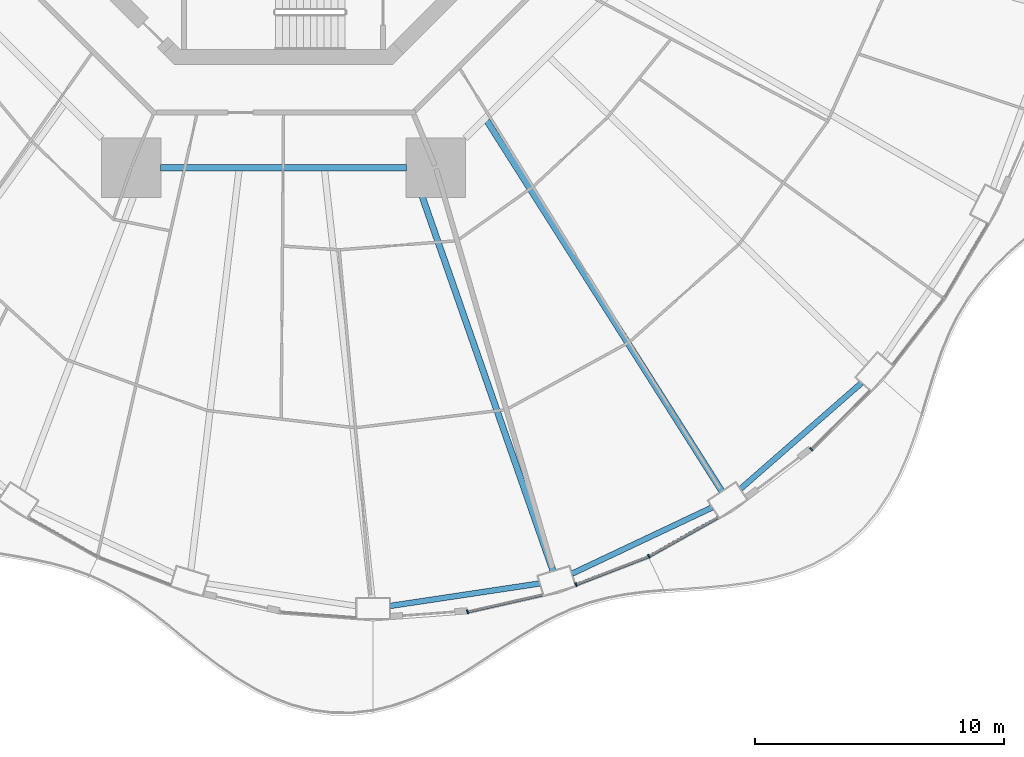
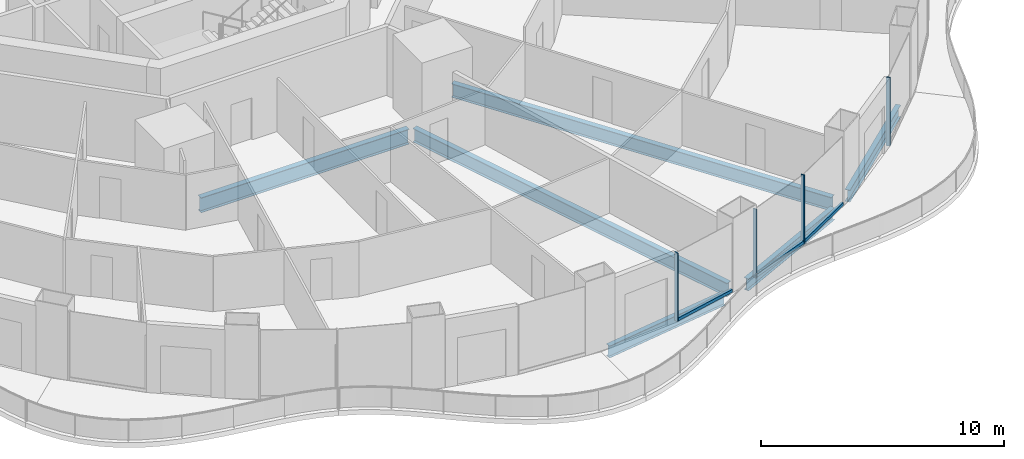
# One storey, part 4 of 22: 7 members, 6 beams, 4 elements without a shape of their own.
"""IFC4 building model written with IfcOpenShell, lengths in metres."""

from ifc_helpers import new_model, si_unit, direction, frame, origin, origin_2d, place, context, subcontext, project, spatial, rectangle, i_section, extrude, material, layer, layer_set, material_profile, profile_set, type_object, element, aggregate, save


model = new_model("IFC4")

# Units and contexts
model_context = context("Model", 3, precision=1e-05, world=origin(), true_north=direction((0.0, 1.0)))
body_context = subcontext(model_context, "Body", "Model", "MODEL_VIEW")
ifc_project = project(units=[si_unit("LENGTHUNIT", "METRE"), si_unit("AREAUNIT", "SQUARE_METRE"), si_unit("VOLUMEUNIT", "CUBIC_METRE"), si_unit("PLANEANGLEUNIT", "RADIAN"), si_unit("MASSUNIT", "GRAM", prefix="KILO")], contexts=[model_context])

# Site, building, storey
site_placement = place(None, origin())
site = spatial("IfcSite", under=ifc_project, at=site_placement, CompositionType="ELEMENT")
building_placement = place(site_placement, origin())
building = spatial("IfcBuilding", under=site, at=building_placement, Name="Nagisa Residences", CompositionType="ELEMENT")
storey_placement = place(building_placement, frame((0.0, 0.0, 45.5)))
storey = spatial("IfcBuildingStorey", under=building, at=storey_placement, Name="L10", CompositionType="ELEMENT", Elevation=45.5)

# Curtain wall, member
ifc_material_1 = material(Name="Concrete-coloured aluminium curtain wall system", Category="concrete")
ifc_layer = layer(ifc_material_1, 0.159912109375)
ifc_layer_set = layer_set([ifc_layer], Name="CW1 CURTAIN WALL")
curtain_wall_type = type_object("IfcCurtainWallType", Name="CW1 CURTAIN WALL", PredefinedType="NOTDEFINED", material=ifc_layer_set)
curtain_wall_1_placement = place(storey_placement, origin())
curtain_wall_1 = element("IfcCurtainWall", 1, at=curtain_wall_1_placement, inside=storey, type_object=curtain_wall_type, Name="cw:CW1:L10:37", PredefinedType="NOTDEFINED")
ifc_material_2 = material(Name="Concrete-coloured aluminium", Category="concrete")
ifc_material_profile_1 = material_profile(ifc_material_2, rectangle(XDim=0.159912109375, YDim=0.06005859375, at=origin_2d()), Name="CW1 MULLION 160x60")
ifc_profile_set_1 = profile_set([ifc_material_profile_1], Name="Concrete-coloured aluminium")
member_type_1 = type_object("IfcMemberType", Name="CW1 MULLION 160x60", PredefinedType="MULLION", material=ifc_profile_set_1)
member_1_placement = place(storey_placement, frame((7.39697265625, -32.633056640625, 0.0), z_axis=(0.0, 0.0, 1.0), x_axis=(-0.2207639201, 0.975327274089, 0.0)))
member_1 = element("IfcMember", 2, at=member_1_placement, type_object=member_type_1, Name="CW1 mullion", PredefinedType="MULLION", context=body_context, shape_type="SweptSolid", body=[
    extrude(rectangle(XDim=0.159912109375, YDim=0.06005859375, at=origin_2d()), origin(), (0.0, 0.0, 1.0), 3.43994140625),
])

curtain_wall_2_placement = place(storey_placement, origin())
curtain_wall_2 = element("IfcCurtainWall", 3, at=curtain_wall_2_placement, inside=storey, type_object=curtain_wall_type, Name="cw:CW1:L10:38", PredefinedType="NOTDEFINED")
member_2_placement = place(storey_placement, frame((11.7578125, -31.537841796875, 0.0), z_axis=(0.0, 0.0, 1.0), x_axis=(-0.360327770268, 0.932825759707, 0.0)))
member_2 = element("IfcMember", 4, at=member_2_placement, type_object=member_type_1, Name="CW1 mullion", PredefinedType="MULLION", context=body_context, shape_type="SweptSolid", body=[
    extrude(rectangle(XDim=0.159912109375, YDim=0.06005859375, at=origin_2d()), origin(), (0.0, 0.0, 1.0), 3.43994140625),
])

curtain_wall_3_placement = place(storey_placement, origin())
curtain_wall_3 = element("IfcCurtainWall", 5, at=curtain_wall_3_placement, inside=storey, type_object=curtain_wall_type, Name="cw:CW1:L10:39", PredefinedType="NOTDEFINED")
member_3_placement = place(storey_placement, frame((14.684814453125, -30.403564453125, 0.0), z_axis=(0.0, 0.0, 1.0), x_axis=(-0.489376918501, 0.872072377523, 0.0)))
member_3 = element("IfcMember", 6, at=member_3_placement, type_object=member_type_1, Name="CW1 mullion", PredefinedType="MULLION", context=body_context, shape_type="SweptSolid", body=[
    extrude(rectangle(XDim=0.159912109375, YDim=0.06005859375, at=origin_2d()), origin(), (0.0, 0.0, 1.0), 3.43994140625),
])

curtain_wall_4_placement = place(storey_placement, origin())
curtain_wall_4 = element("IfcCurtainWall", 7, at=curtain_wall_4_placement, inside=storey, type_object=curtain_wall_type, Name="cw:CW1:L10:41", PredefinedType="NOTDEFINED")
member_4_placement = place(storey_placement, frame((21.21875, -26.102783203125, 0.0), z_axis=(0.0, 0.0, 1.0), x_axis=(-0.706376885714, 0.707835924016, 0.0)))
member_4 = element("IfcMember", 8, at=member_4_placement, type_object=member_type_1, Name="CW1 mullion", PredefinedType="MULLION", context=body_context, shape_type="SweptSolid", body=[
    extrude(rectangle(XDim=0.159912109375, YDim=0.06005859375, at=origin_2d()), origin(), (0.0, 0.0, 1.0), 3.43994140625),
])
aggregate(curtain_wall_4, [member_4])

# Member
ifc_material_3 = material(Name="Concrete-coloured aluminium", Category="concrete")
ifc_material_profile_2 = material_profile(ifc_material_3, rectangle(XDim=0.1201171875, YDim=0.14990234375, at=origin_2d()), Name="CW1 TRANSOM 120x150")
ifc_profile_set_2 = profile_set([ifc_material_profile_2], Name="Concrete-coloured aluminium")
member_type_2 = type_object("IfcMemberType", Name="CW1 TRANSOM 120x150", PredefinedType="USERDEFINED", material=ifc_profile_set_2)
member_5_placement = place(storey_placement, frame((7.36767578125, -32.6396484375, 0.074951171875), z_axis=(0.975331134677, 0.220746863466, 0.0), x_axis=(-0.220746863466, 0.975331134677, 0.0)))
member_5 = element("IfcMember", 9, at=member_5_placement, type_object=member_type_2, Name="CW1 transom", ObjectType="TRANSOM", PredefinedType="USERDEFINED", context=body_context, shape_type="SweptSolid", body=[
    extrude(rectangle(XDim=0.1201171875, YDim=0.14990234375, at=origin_2d()), origin(), (0.0, 0.0, 1.0), 3.114501953125),
])

aggregate(curtain_wall_1, [member_1, member_5])

member_6_placement = place(storey_placement, frame((11.72998046875, -31.548583984375, 0.074951171875), z_axis=(0.932825366452, 0.360328788337, 0.0), x_axis=(-0.360328788337, 0.932825366452, 0.0)))
member_6 = element("IfcMember", 10, at=member_6_placement, type_object=member_type_2, Name="CW1 transom", ObjectType="TRANSOM", PredefinedType="USERDEFINED", context=body_context, shape_type="SweptSolid", body=[
    extrude(rectangle(XDim=0.1201171875, YDim=0.14990234375, at=origin_2d()), origin(), (0.0, 0.0, 1.0), 3.150634765625),
])

aggregate(curtain_wall_2, [member_2, member_6])

member_7_placement = place(storey_placement, frame((14.65869140625, -30.418212890625, 0.074951171875), z_axis=(0.872070011948, 0.489381133946, 0.0), x_axis=(-0.489381133946, 0.872070011948, 0.0)))
member_7 = element("IfcMember", 11, at=member_7_placement, type_object=member_type_2, Name="CW1 transom", ObjectType="TRANSOM", PredefinedType="USERDEFINED", context=body_context, shape_type="SweptSolid", body=[
    extrude(rectangle(XDim=0.1201171875, YDim=0.14990234375, at=origin_2d()), origin(), (0.0, 0.0, 1.0), 3.201171875),
])

aggregate(curtain_wall_3, [member_3, member_7])

# Beams
ifc_material_4 = material(Name="Steel ASTM A572 Gr 50", Category="steel")
ifc_material_profile_3 = material_profile(ifc_material_4, i_section(OverallWidth=0.264892578125, OverallDepth=0.7529296875, WebThickness=0.01318359375, FlangeThickness=0.01708984375, at=origin_2d()), Name="W760x147")
ifc_profile_set_3 = profile_set([ifc_material_profile_3], Name="Steel ASTM A572 Gr 50")
beam_type_1 = type_object("IfcBeamType", Name="Inner ring beam W760x147", PredefinedType="BEAM", material=ifc_profile_set_3)
beam_1_placement = place(storey_placement, frame((-4.94287109375, -14.781982421875, -0.636474609375), z_axis=(1.0, 0.0, 0.0), x_axis=(0.0, 1.0, 0.0)))
element("IfcBeam", 12, at=beam_1_placement, inside=storey, type_object=beam_type_1, Name="beam:L10:ib6", PredefinedType="BEAM", context=body_context, shape_type="SweptSolid", body=[
    extrude(i_section(OverallWidth=0.264892578125, OverallDepth=0.7529296875, WebThickness=0.01318359375, FlangeThickness=0.01708984375, at=origin_2d()), origin(), (0.0, 0.0, 1.0), 9.8857421875),
])
ifc_material_5 = material(Name="Steel ASTM A572 Gr 50", Category="steel")
ifc_material_profile_4 = material_profile(ifc_material_5, i_section(OverallWidth=0.22802734375, OverallDepth=0.60302734375, WebThickness=0.010498046875, FlangeThickness=0.014892578125, at=origin_2d()), Name="W610x101")
ifc_profile_set_4 = profile_set([ifc_material_profile_4], Name="Steel ASTM A572 Gr 50")
beam_type_2 = type_object("IfcBeamType", Name="Perimeter ring beam W610x101", PredefinedType="BEAM", material=ifc_profile_set_4)
beam_2_placement = place(storey_placement, frame((4.2802734375, -32.39794921875, -0.5615234375), z_axis=(0.988914559467, 0.14848566959, 0.0), x_axis=(-0.14848566959, 0.988914559467, 0.0)))
element("IfcBeam", 13, at=beam_2_placement, inside=storey, type_object=beam_type_2, Name="beam:L10:pb19", PredefinedType="BEAM", context=body_context, shape_type="SweptSolid", body=[
    extrude(i_section(OverallWidth=0.22802734375, OverallDepth=0.60302734375, WebThickness=0.010498046875, FlangeThickness=0.014892578125, at=origin_2d()), origin(), (0.0, 0.0, 1.0), 6.08349609375),
])
beam_3_placement = place(storey_placement, frame((11.597900390625, -31.098876953125, -0.5615234375), z_axis=(0.904215426643, 0.427076646774, 0.0), x_axis=(-0.427076646774, 0.904215426643, 0.0)))
element("IfcBeam", 14, at=beam_3_placement, inside=storey, type_object=beam_type_2, Name="beam:L10:pb20", PredefinedType="BEAM", context=body_context, shape_type="SweptSolid", body=[
    extrude(i_section(OverallWidth=0.22802734375, OverallDepth=0.60302734375, WebThickness=0.010498046875, FlangeThickness=0.014892578125, at=origin_2d()), origin(), (0.0, 0.0, 1.0), 6.2275390625),
])
beam_4_placement = place(storey_placement, frame((18.36669921875, -27.693603515625, -0.5615234375), z_axis=(0.7525907186, 0.658488580217, 0.0), x_axis=(-0.658488580217, 0.7525907186, 0.0)))
element("IfcBeam", 15, at=beam_4_placement, inside=storey, type_object=beam_type_2, Name="beam:L10:pb21", PredefinedType="BEAM", context=body_context, shape_type="SweptSolid", body=[
    extrude(i_section(OverallWidth=0.22802734375, OverallDepth=0.60302734375, WebThickness=0.010498046875, FlangeThickness=0.014892578125, at=origin_2d()), origin(), (0.0, 0.0, 1.0), 6.470458984375),
])
ifc_material_6 = material(Name="Steel ASTM A572 Gr 50", Category="steel")
ifc_material_profile_5 = material_profile(ifc_material_6, i_section(OverallWidth=0.25390625, OverallDepth=0.68408203125, WebThickness=0.012451171875, FlangeThickness=0.018798828125, at=origin_2d()), Name="W690x140")
ifc_profile_set_5 = profile_set([ifc_material_profile_5], Name="Steel ASTM A572 Gr 50")
beam_type_3 = type_object("IfcBeamType", Name="Radial beam W690x140", PredefinedType="BEAM", material=ifc_profile_set_5)
beam_5_placement = place(storey_placement, frame((10.834228515625, -30.986328125, -0.60205078125), z_axis=(-0.330051195485, 0.943963033364, 0.0), x_axis=(-0.943963033364, -0.330051195485, 0.0)))
element("IfcBeam", 16, at=beam_5_placement, inside=storey, type_object=beam_type_3, Name="beam:L10:rb20", PredefinedType="BEAM", context=body_context, shape_type="SweptSolid", body=[
    extrude(i_section(OverallWidth=0.25390625, OverallDepth=0.68408203125, WebThickness=0.012451171875, FlangeThickness=0.018798828125, at=origin_2d()), origin(), (0.0, 0.0, 1.0), 17.045654296875),
])
beam_6_placement = place(storey_placement, frame((17.61962890625, -27.78271484375, -0.60205078125), z_axis=(-0.53556610664, 0.844493306911, 0.0), x_axis=(-0.844493306911, -0.53556610664, 0.0)))
element("IfcBeam", 17, at=beam_6_placement, inside=storey, type_object=beam_type_3, Name="beam:L10:rb21", PredefinedType="BEAM", context=body_context, shape_type="SweptSolid", body=[
    extrude(i_section(OverallWidth=0.25390625, OverallDepth=0.68408203125, WebThickness=0.012451171875, FlangeThickness=0.018798828125, at=origin_2d()), origin(), (0.0, 0.0, 1.0), 17.63525390625),
])

save(model, "model.ifc")
